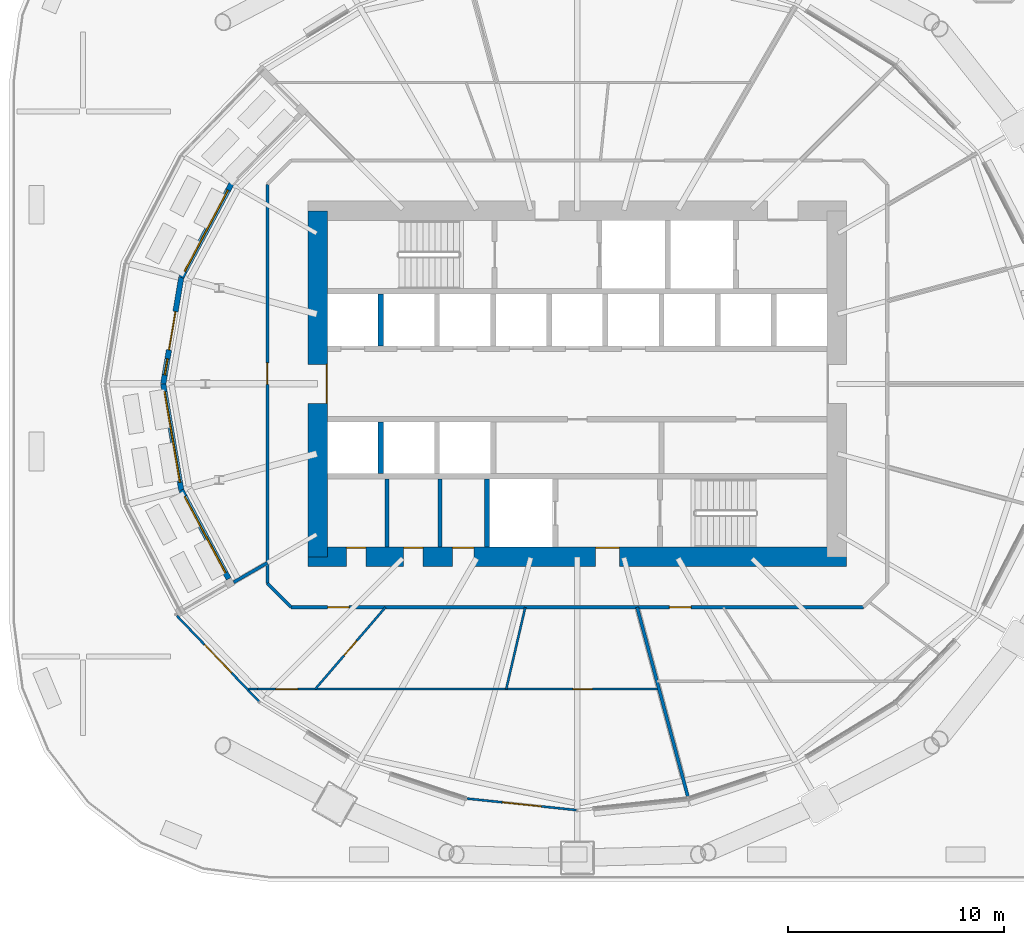
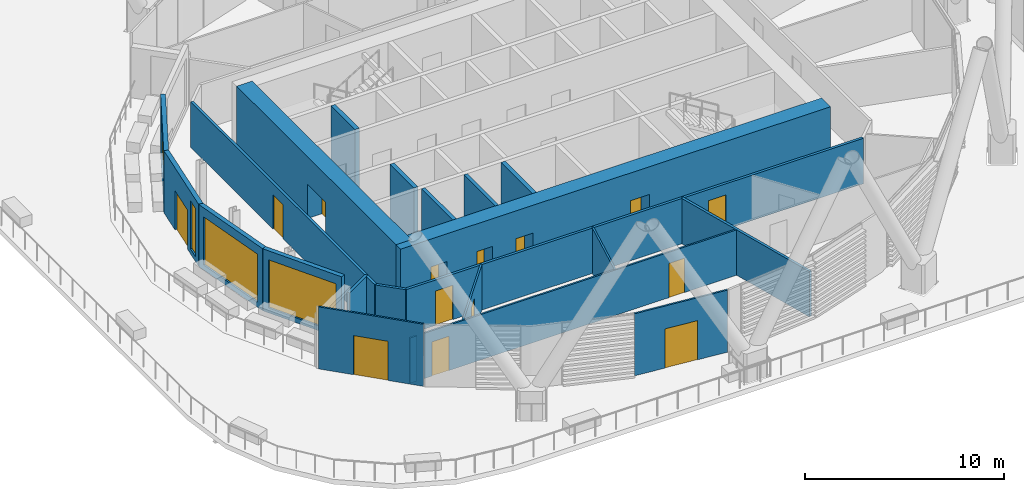
# One storey, part 24 of 47: 22 walls, 14 doors, 4 windows, 18 openings.
"""IFC4 building model written with IfcOpenShell, lengths in metres."""

from ifc_helpers import new_model, si_unit, direction, frame, frame_2d, origin, place, context, subcontext, project, spatial, rectangle, extrude, material, layer, layer_set, type_object, element, fill, save


model = new_model("IFC4")

# Units and contexts
model_context = context("Model", 3, precision=1e-05, world=origin(), true_north=direction((0.0, 1.0)))
body_context = subcontext(model_context, "Body", "Model", "MODEL_VIEW")
ifc_project = project(units=[si_unit("LENGTHUNIT", "METRE"), si_unit("AREAUNIT", "SQUARE_METRE"), si_unit("VOLUMEUNIT", "CUBIC_METRE"), si_unit("PLANEANGLEUNIT", "RADIAN"), si_unit("MASSUNIT", "GRAM", prefix="KILO")], contexts=[model_context])

# Site, building, storey
site_placement = place(None, origin())
site = spatial("IfcSite", under=ifc_project, at=site_placement, CompositionType="ELEMENT")
building_placement = place(site_placement, origin())
building = spatial("IfcBuilding", under=site, at=building_placement, Name="Rimbun Link Towers", CompositionType="ELEMENT")
storey_placement = place(building_placement, frame((0.0, 0.0, 30.0)))
storey = spatial("IfcBuildingStorey", under=building, at=storey_placement, Name="L06", CompositionType="ELEMENT", Elevation=30.0)

# Wall, opening, window
ifc_material_1 = material(Name="Dark enamelled glass spandrel on insulated aluminium backpan", Category="aluminium")
ifc_layer_1 = layer(ifc_material_1, 0.25)
ifc_layer_set_1 = layer_set([ifc_layer_1], Name="CS dark enamelled spandrel wall 250")
wall_type_1 = type_object("IfcWallType", Name="CS dark enamelled spandrel wall 250", PredefinedType="STANDARD", material=ifc_layer_set_1)
wall_1_placement = place(storey_placement, frame((-50.0556640625, 4.913818359375, 0.0), z_axis=(0.0, 0.0, 1.0), x_axis=(0.47156780377, 0.881829805828, 0.0)))
wall_1 = element("IfcWall", 1, at=wall_1_placement, inside=storey, type_object=wall_type_1, Name="Crease spandrel wall", PredefinedType="STANDARD", context=body_context, shape_type="SweptSolid", body=[
    extrude(rectangle(XDim=4.914306640625, YDim=0.25, at=frame_2d((2.45703125, 0.0))), origin(), (0.0, 0.0, 1.0), 3.800048828125),
])
opening_1_placement = place(wall_1_placement, frame((0.33203125, 0.0, 0.300048828125)))
opening_1 = element("IfcOpeningElement", 2, at=opening_1_placement, cuts=wall_1, Name="Opening WR42H295", PredefinedType="OPENING", context=body_context, shape_type="SweptSolid", body=[
    extrude(rectangle(XDim=4.25, YDim=2.949951171875, at=frame_2d((2.125, 1.47509765625))), frame((0.0, 0.135009765625, 0.0), z_axis=(0.0, -1.0, 0.0), x_axis=(1.0, 0.0, 0.0)), (0.0, 0.0, 1.0), 0.27001953125),
])
ifc_material_2 = material(Name="Aluminium framed fixed window, dark tinted low-e glass", Category="aluminium")
window_type_1 = type_object("IfcWindowType", Name="WR ribbon window 4250X2950", PartitioningType="SINGLE_PANEL", PredefinedType="WINDOW", material=ifc_material_2)
window_1_placement = place(opening_1_placement, origin())
window_1 = element("IfcWindow", 3, at=window_1_placement, inside=storey, type_object=window_type_1, Name="Crease ribbon window", OverallHeight=2.949951171875, OverallWidth=4.25, PartitioningType="SINGLE_PANEL", PredefinedType="WINDOW", context=body_context, shape_type="SweptSolid", body=[
    extrude(rectangle(XDim=4.25, YDim=2.949951171875, at=frame_2d((2.125, 1.47509765625))), frame((0.0, 0.030029296875, 0.0), z_axis=(0.0, -1.0, 0.0), x_axis=(1.0, 0.0, 0.0)), (0.0, 0.0, 1.0), 0.06005859375),
])
fill(opening_1, window_1)

# Wall, openings, door, window
wall_2_placement = place(storey_placement, frame((-50.889404296875, 0.0, 0.0), z_axis=(0.0, 0.0, 1.0), x_axis=(0.167281745304, 0.985909132572, 0.0)))
wall_2 = element("IfcWall", 4, at=wall_2_placement, inside=storey, type_object=wall_type_1, Name="Crease spandrel wall", PredefinedType="STANDARD", context=body_context, shape_type="SweptSolid", body=[
    extrude(rectangle(XDim=4.984130859375, YDim=0.25, at=frame_2d((2.4921875, 0.0))), origin(), (0.0, 0.0, 1.0), 3.800048828125),
])
opening_2_placement = place(wall_2_placement, frame((0.421142578125, 0.0, 0.300048828125)))
opening_2 = element("IfcOpeningElement", 5, at=opening_2_placement, cuts=wall_2, Name="Opening WR08H295", PredefinedType="OPENING", context=body_context, shape_type="SweptSolid", body=[
    extrude(rectangle(XDim=0.75, YDim=2.949951171875, at=frame_2d((0.375, 1.47509765625))), frame((0.0, 0.135009765625, 0.0), z_axis=(0.0, -1.0, 0.0), x_axis=(1.0, 0.0, 0.0)), (0.0, 0.0, 1.0), 0.27001953125),
])
opening_3_placement = place(wall_2_placement, frame((1.592529296875, 0.0, 0.0)))
opening_3 = element("IfcOpeningElement", 6, at=opening_3_placement, cuts=wall_2, Name="Opening ED49", PredefinedType="OPENING", context=body_context, shape_type="SweptSolid", body=[
    extrude(rectangle(XDim=1.800048828125, YDim=2.39990234375, at=frame_2d((0.89990234375, 1.199951171875))), frame((0.0, 0.135009765625, 0.0), z_axis=(0.0, -1.0, 0.0), x_axis=(1.0, 0.0, 0.0)), (0.0, 0.0, 1.0), 0.27001953125),
])
ifc_material_3 = material(Name="Aluminium framed glazed door, low-iron glass", Category="aluminium")
door_type_1 = type_object("IfcDoorType", Name="ED terrace door double leaf 1800X2400", OperationType="DOUBLE_DOOR_SINGLE_SWING", PredefinedType="DOOR", material=ifc_material_3)
door_1_placement = place(opening_3_placement, origin())
door_1 = element("IfcDoor", 7, at=door_1_placement, inside=storey, type_object=door_type_1, Name="Terrace door", OperationType="SINGLE_SWING_LEFT", OverallHeight=2.39990234375, OverallWidth=1.800048828125, PredefinedType="DOOR", context=body_context, shape_type="SweptSolid", body=[
    extrude(rectangle(XDim=1.800048828125, YDim=2.39990234375, at=frame_2d((0.89990234375, 1.199951171875))), frame((0.0, 0.02490234375, 0.0), z_axis=(0.0, -1.0, 0.0), x_axis=(1.0, 0.0, 0.0)), (0.0, 0.0, 1.0), 0.050048828125),
])
fill(opening_3, door_1)
ifc_material_4 = material(Name="Aluminium framed fixed window, dark tinted low-e glass", Category="aluminium")
window_type_2 = type_object("IfcWindowType", Name="WR ribbon window 750X2950", PartitioningType="SINGLE_PANEL", PredefinedType="WINDOW", material=ifc_material_4)
window_2_placement = place(opening_2_placement, origin())
window_2 = element("IfcWindow", 8, at=window_2_placement, inside=storey, type_object=window_type_2, Name="Crease ribbon window", OverallHeight=2.949951171875, OverallWidth=0.75, PartitioningType="SINGLE_PANEL", PredefinedType="WINDOW", context=body_context, shape_type="SweptSolid", body=[
    extrude(rectangle(XDim=0.75, YDim=2.949951171875, at=frame_2d((0.375, 1.47509765625))), frame((0.0, 0.030029296875, 0.0), z_axis=(0.0, -1.0, 0.0), x_axis=(1.0, 0.0, 0.0)), (0.0, 0.0, 1.0), 0.06005859375),
])
fill(opening_2, window_2)

# Wall, opening, window
wall_3_placement = place(storey_placement, frame((-50.0556640625, -4.913818359375, 0.0), z_axis=(0.0, 0.0, 1.0), x_axis=(-0.167281745304, 0.985909132572, 0.0)))
wall_3 = element("IfcWall", 9, at=wall_3_placement, inside=storey, type_object=wall_type_1, Name="Crease spandrel wall", PredefinedType="STANDARD", context=body_context, shape_type="SweptSolid", body=[
    extrude(rectangle(XDim=4.984130859375, YDim=0.25, at=frame_2d((2.4921875, 0.0))), origin(), (0.0, 0.0, 1.0), 3.800048828125),
])
opening_4_placement = place(wall_3_placement, frame((0.366943359375, 0.0, 0.300048828125)))
opening_4 = element("IfcOpeningElement", 10, at=opening_4_placement, cuts=wall_3, Name="Opening WR42H295", PredefinedType="OPENING", context=body_context, shape_type="SweptSolid", body=[
    extrude(rectangle(XDim=4.25, YDim=2.949951171875, at=frame_2d((2.125, 1.47509765625))), frame((0.0, 0.135009765625, 0.0), z_axis=(0.0, -1.0, 0.0), x_axis=(1.0, 0.0, 0.0)), (0.0, 0.0, 1.0), 0.27001953125),
])
window_3_placement = place(opening_4_placement, origin())
window_3 = element("IfcWindow", 11, at=window_3_placement, inside=storey, type_object=window_type_1, Name="Crease ribbon window", OverallHeight=2.949951171875, OverallWidth=4.25, PartitioningType="SINGLE_PANEL", PredefinedType="WINDOW", context=body_context, shape_type="SweptSolid", body=[
    extrude(rectangle(XDim=4.25, YDim=2.949951171875, at=frame_2d((2.125, 1.47509765625))), frame((0.0, 0.030029296875, 0.0), z_axis=(0.0, -1.0, 0.0), x_axis=(1.0, 0.0, 0.0)), (0.0, 0.0, 1.0), 0.06005859375),
])
fill(opening_4, window_3)

wall_4_placement = place(storey_placement, frame((-47.863037109375, -9.01416015625, 0.0), z_axis=(0.0, 0.0, 1.0), x_axis=(-0.471555405257, 0.881836435952, 0.0)))
wall_4 = element("IfcWall", 12, at=wall_4_placement, inside=storey, type_object=wall_type_1, Name="Crease spandrel wall", PredefinedType="STANDARD", context=body_context, shape_type="SweptSolid", body=[
    extrude(rectangle(XDim=4.649658203125, YDim=0.25, at=frame_2d((2.32470703125, 0.0))), origin(), (0.0, 0.0, 1.0), 3.800048828125),
])
opening_5_placement = place(wall_4_placement, frame((0.324951171875, 0.0, 0.300048828125)))
opening_5 = element("IfcOpeningElement", 13, at=opening_5_placement, cuts=wall_4, Name="Opening WR40H295", PredefinedType="OPENING", context=body_context, shape_type="SweptSolid", body=[
    extrude(rectangle(XDim=4.0, YDim=2.949951171875, at=frame_2d((2.0, 1.47509765625))), frame((0.0, 0.135009765625, 0.0), z_axis=(0.0, -1.0, 0.0), x_axis=(1.0, 0.0, 0.0)), (0.0, 0.0, 1.0), 0.27001953125),
])
ifc_material_5 = material(Name="Aluminium framed fixed window, dark tinted low-e glass", Category="aluminium")
window_type_3 = type_object("IfcWindowType", Name="WR ribbon window 4000X2950", PartitioningType="SINGLE_PANEL", PredefinedType="WINDOW", material=ifc_material_5)
window_4_placement = place(opening_5_placement, origin())
window_4 = element("IfcWindow", 14, at=window_4_placement, inside=storey, type_object=window_type_3, Name="Crease ribbon window", OverallHeight=2.949951171875, OverallWidth=4.0, PartitioningType="SINGLE_PANEL", PredefinedType="WINDOW", context=body_context, shape_type="SweptSolid", body=[
    extrude(rectangle(XDim=4.0, YDim=2.949951171875, at=frame_2d((2.0, 1.47509765625))), frame((0.0, 0.030029296875, 0.0), z_axis=(0.0, -1.0, 0.0), x_axis=(1.0, 0.0, 0.0)), (0.0, 0.0, 1.0), 0.06005859375),
])
fill(opening_5, window_4)

# Walls
ifc_material_6 = material(Name="Masonry blockwork", Category="masonry")
ifc_layer_2 = layer(ifc_material_6, 0.199951171875)
ifc_layer_set_2 = layer_set([ifc_layer_2], Name="Core partition 200")
wall_type_2 = type_object("IfcWallType", Name="Core partition 200", PredefinedType="PARTITIONING", material=ifc_layer_set_2)
for number, where, z_axis, x_axis, name in (
    (15, (-40.550048828125, -4.39990234375, 0.0), (0.0, 0.0, 1.0), (0.0, -1.0, 0.0), "L06 T1 core wall C1"),
    (16, (-38.10009765625, -4.39990234375, 0.0), (0.0, 0.0, 1.0), (0.0, -1.0, 0.0), "L06 T1 core wall C2"),
):
    element("IfcWall", number, at=place(storey_placement, frame(where, z_axis=z_axis, x_axis=x_axis)), inside=storey, type_object=wall_type_2, Name=name, PredefinedType="PARTITIONING", context=body_context, shape_type="SweptSolid", body=[
        extrude(rectangle(XDim=3.150146484375, YDim=0.199951171875, at=frame_2d((1.5751953125, 0.0))), origin(), (0.0, 0.0, 1.0), 3.800048828125),
    ])

# Wall, openings, doors
ifc_material_7 = material(Name="Concrete C60/75", Category="concrete")
ifc_layer_3 = layer(ifc_material_7, 0.89990234375)
ifc_layer_set_3 = layer_set([ifc_layer_3], Name="Core shear wall 900")
wall_type_3 = type_object("IfcWallType", Name="Core shear wall 900", PredefinedType="SHEAR", material=ifc_layer_set_3)
wall_5_placement = place(storey_placement, frame((-44.199951171875, -8.0, 0.0), z_axis=(0.0, 0.0, 1.0), x_axis=(1.0, 0.0, 0.0)))
wall_5 = element("IfcWall", 17, at=wall_5_placement, inside=storey, type_object=wall_type_3, Name="L06 T1 core wall S", PredefinedType="SHEAR", context=body_context, shape_type="SweptSolid", body=[
    extrude(rectangle(XDim=24.89990234375, YDim=0.89990234375, at=frame_2d((12.449951171875, 0.0))), origin(), (0.0, 0.0, 1.0), 3.800048828125),
])
opening_6_placement = place(wall_5_placement, frame((13.300048828125, 0.0, 0.0)))
opening_6 = element("IfcOpeningElement", 18, at=opening_6_placement, cuts=wall_5, Name="Opening C1DCF01S", PredefinedType="OPENING", context=body_context, shape_type="SweptSolid", body=[
    extrude(rectangle(XDim=1.10009765625, YDim=2.10009765625, at=frame_2d((0.550048828125, 1.050048828125))), frame((0.0, 0.4599609375, 0.0), z_axis=(0.0, -1.0, 0.0), x_axis=(1.0, 0.0, 0.0)), (0.0, 0.0, 1.0), 0.919921875),
])
opening_7_placement = place(wall_5_placement, frame((1.77490234375, 0.0, 0.0)))
opening_7 = element("IfcOpeningElement", 19, at=opening_7_placement, cuts=wall_5, Name="Opening C1DWC02S", PredefinedType="OPENING", context=body_context, shape_type="SweptSolid", body=[
    extrude(rectangle(XDim=0.89990234375, YDim=2.10009765625, at=frame_2d((0.449951171875, 1.050048828125))), frame((0.0, 0.4599609375, 0.0), z_axis=(0.0, -1.0, 0.0), x_axis=(1.0, 0.0, 0.0)), (0.0, 0.0, 1.0), 0.919921875),
])
opening_8_placement = place(wall_5_placement, frame((4.425048828125, 0.0, 0.0)))
opening_8 = element("IfcOpeningElement", 20, at=opening_8_placement, cuts=wall_5, Name="Opening C1DWC03S", PredefinedType="OPENING", context=body_context, shape_type="SweptSolid", body=[
    extrude(rectangle(XDim=0.89990234375, YDim=2.10009765625, at=frame_2d((0.449951171875, 1.050048828125))), frame((0.0, 0.4599609375, 0.0), z_axis=(0.0, -1.0, 0.0), x_axis=(1.0, 0.0, 0.0)), (0.0, 0.0, 1.0), 0.919921875),
])
opening_9_placement = place(wall_5_placement, frame((6.675048828125, 0.0, 0.0)))
opening_9 = element("IfcOpeningElement", 21, at=opening_9_placement, cuts=wall_5, Name="Opening C1DAW04S", PredefinedType="OPENING", context=body_context, shape_type="SweptSolid", body=[
    extrude(rectangle(XDim=1.0, YDim=2.10009765625, at=frame_2d((0.5, 1.050048828125))), frame((0.0, 0.4599609375, 0.0), z_axis=(0.0, -1.0, 0.0), x_axis=(1.0, 0.0, 0.0)), (0.0, 0.0, 1.0), 0.919921875),
])
ifc_material_8 = material(Name="Timber", Category="wood")
door_type_2 = type_object("IfcDoorType", Name="Accessible WC door", OperationType="SINGLE_SWING_LEFT", PredefinedType="DOOR", material=ifc_material_8)
door_2_placement = place(opening_9_placement, origin())
door_2 = element("IfcDoor", 22, at=door_2_placement, inside=storey, type_object=door_type_2, Name="L06 T1 accessible wc door", OperationType="SINGLE_SWING_RIGHT", OverallHeight=2.10009765625, OverallWidth=1.0, PredefinedType="DOOR", context=body_context, shape_type="SweptSolid", body=[
    extrude(rectangle(XDim=1.0, YDim=2.10009765625, at=frame_2d((0.5, 1.050048828125))), frame((0.0, 0.4501953125, 0.0), z_axis=(0.0, -1.0, 0.0), x_axis=(1.0, 0.0, 0.0)), (0.0, 0.0, 1.0), 0.050048828125),
])
fill(opening_9, door_2)
ifc_material_9 = material(Name="Steel fire door set", Category="steel")
door_type_3 = type_object("IfcDoorType", Name="Core fire door single", OperationType="SINGLE_SWING_LEFT", PredefinedType="DOOR", material=ifc_material_9)
door_3_placement = place(opening_6_placement, origin())
door_3 = element("IfcDoor", 23, at=door_3_placement, inside=storey, type_object=door_type_3, Name="L06 T1 firefighting lobby s door", OperationType="SINGLE_SWING_LEFT", OverallHeight=2.10009765625, OverallWidth=1.10009765625, PredefinedType="DOOR", context=body_context, shape_type="SweptSolid", body=[
    extrude(rectangle(XDim=1.10009765625, YDim=2.10009765625, at=frame_2d((0.550048828125, 1.050048828125))), frame((0.0, 0.4501953125, 0.0), z_axis=(0.0, -1.0, 0.0), x_axis=(1.0, 0.0, 0.0)), (0.0, 0.0, 1.0), 0.050048828125),
])
fill(opening_6, door_3)
ifc_material_10 = material(Name="Timber", Category="wood")
door_type_4 = type_object("IfcDoorType", Name="WC door", OperationType="SINGLE_SWING_LEFT", PredefinedType="DOOR", material=ifc_material_10)
door_4_placement = place(opening_7_placement, origin())
door_4 = element("IfcDoor", 24, at=door_4_placement, inside=storey, type_object=door_type_4, Name="L06 T1 male wc door", OperationType="SINGLE_SWING_RIGHT", OverallHeight=2.10009765625, OverallWidth=0.89990234375, PredefinedType="DOOR", context=body_context, shape_type="SweptSolid", body=[
    extrude(rectangle(XDim=0.89990234375, YDim=2.10009765625, at=frame_2d((0.449951171875, 1.050048828125))), frame((0.0, 0.4501953125, 0.0), z_axis=(0.0, -1.0, 0.0), x_axis=(1.0, 0.0, 0.0)), (0.0, 0.0, 1.0), 0.050048828125),
])
fill(opening_7, door_4)
door_5_placement = place(opening_8_placement, origin())
door_5 = element("IfcDoor", 25, at=door_5_placement, inside=storey, type_object=door_type_4, Name="L06 T1 female wc door", OperationType="SINGLE_SWING_RIGHT", OverallHeight=2.10009765625, OverallWidth=0.89990234375, PredefinedType="DOOR", context=body_context, shape_type="SweptSolid", body=[
    extrude(rectangle(XDim=0.89990234375, YDim=2.10009765625, at=frame_2d((0.449951171875, 1.050048828125))), frame((0.0, 0.4501953125, 0.0), z_axis=(0.0, -1.0, 0.0), x_axis=(1.0, 0.0, 0.0)), (0.0, 0.0, 1.0), 0.050048828125),
])
fill(opening_8, door_5)

# Wall, opening, door
wall_6_placement = place(storey_placement, frame((-43.75, -8.0, 0.0), z_axis=(0.0, 0.0, 1.0), x_axis=(0.0, 1.0, 0.0)))
wall_6 = element("IfcWall", 26, at=wall_6_placement, inside=storey, type_object=wall_type_3, Name="L06 T1 core wall W", PredefinedType="SHEAR", context=body_context, shape_type="SweptSolid", body=[
    extrude(rectangle(XDim=16.0, YDim=0.89990234375, at=frame_2d((8.0, 0.0))), origin(), (0.0, 0.0, 1.0), 3.800048828125),
])
opening_10_placement = place(wall_6_placement, frame((7.10009765625, 0.0, 0.0)))
opening_10 = element("IfcOpeningElement", 27, at=opening_10_placement, cuts=wall_6, Name="Opening C1DCL01W", PredefinedType="OPENING", context=body_context, shape_type="SweptSolid", body=[
    extrude(rectangle(XDim=1.800048828125, YDim=2.10009765625, at=frame_2d((0.89990234375, 1.050048828125))), frame((0.0, 0.4599609375, 0.0), z_axis=(0.0, -1.0, 0.0), x_axis=(1.0, 0.0, 0.0)), (0.0, 0.0, 1.0), 0.919921875),
])
ifc_material_11 = material(Name="Steel fire door set", Category="steel")
door_type_5 = type_object("IfcDoorType", Name="Core lobby door double", OperationType="DOUBLE_DOOR_SINGLE_SWING", PredefinedType="DOOR", material=ifc_material_11)
door_6_placement = place(opening_10_placement, origin())
door_6 = element("IfcDoor", 28, at=door_6_placement, inside=storey, type_object=door_type_5, Name="L06 T1 lift lobby door", OperationType="DOUBLE_DOOR_SINGLE_SWING", OverallHeight=2.10009765625, OverallWidth=1.800048828125, PredefinedType="DOOR", context=body_context, shape_type="SweptSolid", body=[
    extrude(rectangle(XDim=1.800048828125, YDim=2.10009765625, at=frame_2d((0.89990234375, 1.050048828125))), frame((0.0, -0.39990234375, 0.0), z_axis=(0.0, -1.0, 0.0), x_axis=(1.0, 0.0, 0.0)), (0.0, 0.0, 1.0), 0.050048828125),
])
fill(opening_10, door_6)

# Wall, openings, doors
ifc_material_12 = material(Name="Plasterboard on steel stud, mineral wool", Category="steel")
ifc_layer_4 = layer(ifc_material_12, 0.14990234375)
ifc_layer_set_4 = layer_set([ifc_layer_4], Name="Corridor wall EI 30 150 mm")
wall_type_4 = type_object("IfcWallType", Name="Corridor wall EI 30 150 mm", PredefinedType="PARTITIONING", material=ifc_layer_set_4)
wall_7_placement = place(storey_placement, frame((-18.523193359375, -10.324951171875, 0.0), z_axis=(0.0, 0.0, 1.0), x_axis=(-1.0, 0.0, 0.0)))
wall_7 = element("IfcWall", 29, at=wall_7_placement, inside=storey, type_object=wall_type_4, Name="Corridor wall EI 30 150 mm", PredefinedType="PARTITIONING", context=body_context, shape_type="SweptSolid", body=[
    extrude(rectangle(XDim=26.45361328125, YDim=0.14990234375, at=frame_2d((13.226806640625, 0.0))), origin(), (0.0, 0.0, 1.0), 2.779052734375),
])
opening_11_placement = place(wall_7_placement, frame((23.77294921875, 0.0, 0.0)))
opening_11 = element("IfcOpeningElement", 30, at=opening_11_placement, cuts=wall_7, Name="Opening D01", PredefinedType="OPENING", context=body_context, shape_type="SweptSolid", body=[
    extrude(rectangle(XDim=1.0, YDim=2.10009765625, at=frame_2d((0.5, 1.050048828125))), frame((0.0, 0.0849609375, 0.0), z_axis=(0.0, -1.0, 0.0), x_axis=(1.0, 0.0, 0.0)), (0.0, 0.0, 1.0), 0.169921875),
])
opening_12_placement = place(wall_7_placement, frame((7.9697265625, 0.0, 0.0)))
opening_12 = element("IfcOpeningElement", 31, at=opening_12_placement, cuts=wall_7, Name="Opening D01", PredefinedType="OPENING", context=body_context, shape_type="SweptSolid", body=[
    extrude(rectangle(XDim=1.0, YDim=2.10009765625, at=frame_2d((0.5, 1.050048828125))), frame((0.0, 0.0849609375, 0.0), z_axis=(0.0, -1.0, 0.0), x_axis=(1.0, 0.0, 0.0)), (0.0, 0.0, 1.0), 0.169921875),
])
ifc_material_13 = material(Name="Fire-resisting timber door leaf", Category="wood")
door_type_6 = type_object("IfcDoorType", Name="Fire door FD30S 1000", OperationType="NOTDEFINED", PredefinedType="DOOR", material=ifc_material_13)
door_7_placement = place(opening_11_placement, origin())
door_7 = element("IfcDoor", 32, at=door_7_placement, inside=storey, type_object=door_type_6, Name="Fire door FD30S 1000 to Customer lobby", OperationType="SINGLE_SWING_LEFT", OverallHeight=2.10009765625, OverallWidth=1.0, PredefinedType="DOOR", context=body_context, shape_type="SweptSolid", body=[
    extrude(rectangle(XDim=1.0, YDim=2.10009765625, at=frame_2d((0.5, 1.050048828125))), frame((0.0, 0.02490234375, 0.0), z_axis=(0.0, -1.0, 0.0), x_axis=(1.0, 0.0, 0.0)), (0.0, 0.0, 1.0), 0.050048828125),
])
fill(opening_11, door_7)
door_8_placement = place(opening_12_placement, origin())
door_8 = element("IfcDoor", 33, at=door_8_placement, inside=storey, type_object=door_type_6, Name="Fire door FD30S 1000 to Reception", OperationType="SINGLE_SWING_RIGHT", OverallHeight=2.10009765625, OverallWidth=1.0, PredefinedType="DOOR", context=body_context, shape_type="SweptSolid", body=[
    extrude(rectangle(XDim=1.0, YDim=2.10009765625, at=frame_2d((0.5, 1.050048828125))), frame((0.0, 0.02490234375, 0.0), z_axis=(0.0, -1.0, 0.0), x_axis=(1.0, 0.0, 0.0)), (0.0, 0.0, 1.0), 0.050048828125),
])
fill(opening_12, door_8)

# Wall
wall_8_placement = place(storey_placement, frame((-46.074951171875, -9.226806640625, 0.0), z_axis=(0.0, 0.0, 1.0), x_axis=(0.707106781187, -0.707106781187, 0.0)))
element("IfcWall", 34, at=wall_8_placement, inside=storey, type_object=wall_type_4, Name="Corridor wall EI 30 150 mm", PredefinedType="PARTITIONING", context=body_context, shape_type="SweptSolid", body=[
    extrude(rectangle(XDim=1.552978515625, YDim=0.14990234375, at=frame_2d((0.7763671875, 0.0))), origin(), (0.0, 0.0, 1.0), 2.779052734375),
])

# Wall, opening, door
wall_9_placement = place(storey_placement, frame((-46.074951171875, -9.226806640625, 0.0), z_axis=(0.0, 0.0, 1.0), x_axis=(0.0, 1.0, 0.0)))
wall_9 = element("IfcWall", 35, at=wall_9_placement, inside=storey, type_object=wall_type_4, Name="Corridor wall EI 30 150 mm", PredefinedType="PARTITIONING", context=body_context, shape_type="SweptSolid", body=[
    extrude(rectangle(XDim=18.45361328125, YDim=0.14990234375, at=frame_2d((9.226806640625, 0.0))), origin(), (0.0, 0.0, 1.0), 2.779052734375),
])
opening_13_placement = place(wall_9_placement, frame((9.204833984375, 0.0, 0.0)))
opening_13 = element("IfcOpeningElement", 36, at=opening_13_placement, cuts=wall_9, Name="Opening D01", PredefinedType="OPENING", context=body_context, shape_type="SweptSolid", body=[
    extrude(rectangle(XDim=1.0, YDim=2.10009765625, at=frame_2d((0.5, 1.050048828125))), frame((0.0, 0.0849609375, 0.0), z_axis=(0.0, -1.0, 0.0), x_axis=(1.0, 0.0, 0.0)), (0.0, 0.0, 1.0), 0.169921875),
])
door_9_placement = place(opening_13_placement, origin())
door_9 = element("IfcDoor", 37, at=door_9_placement, inside=storey, type_object=door_type_6, Name="Fire door FD30S 1000 to Terrace office", OperationType="SINGLE_SWING_LEFT", OverallHeight=2.10009765625, OverallWidth=1.0, PredefinedType="DOOR", context=body_context, shape_type="SweptSolid", body=[
    extrude(rectangle(XDim=1.0, YDim=2.10009765625, at=frame_2d((0.5, 1.050048828125))), frame((0.0, 0.02490234375, 0.0), z_axis=(0.0, -1.0, 0.0), x_axis=(1.0, 0.0, 0.0)), (0.0, 0.0, 1.0), 0.050048828125),
])
fill(opening_13, door_9)

ifc_material_14 = material(Name="Aluminium framed insulated infill panel", Category="aluminium")
ifc_layer_5 = layer(ifc_material_14, 0.10009765625)
ifc_layer_set_5 = layer_set([ifc_layer_5], Name="ED framed infill wall 100")
wall_type_5 = type_object("IfcWallType", Name="ED framed infill wall 100", PredefinedType="STANDARD", material=ifc_layer_set_5)
wall_10_placement = place(storey_placement, frame((-46.460693359375, -14.680908203125, 0.0), z_axis=(0.0, 0.0, 1.0), x_axis=(-0.692062908855, 0.721837190914, 0.0)))
wall_10 = element("IfcWall", 38, at=wall_10_placement, inside=storey, type_object=wall_type_5, Name="Framed door bay wall", PredefinedType="STANDARD", context=body_context, shape_type="SweptSolid", body=[
    extrude(rectangle(XDim=5.485595703125, YDim=0.10009765625, at=frame_2d((2.74267578125, 0.0))), origin(), (0.0, 0.0, 1.0), 3.800048828125),
])
opening_14_placement = place(wall_10_placement, frame((1.8427734375, 0.0, 0.0)))
opening_14 = element("IfcOpeningElement", 39, at=opening_14_placement, cuts=wall_10, Name="Opening ED47", PredefinedType="OPENING", context=body_context, shape_type="SweptSolid", body=[
    extrude(rectangle(XDim=1.800048828125, YDim=2.39990234375, at=frame_2d((0.89990234375, 1.199951171875))), frame((0.0, 0.06005859375, 0.0), z_axis=(0.0, -1.0, 0.0), x_axis=(1.0, 0.0, 0.0)), (0.0, 0.0, 1.0), 0.1201171875),
])
door_10_placement = place(opening_14_placement, origin())
door_10 = element("IfcDoor", 40, at=door_10_placement, inside=storey, type_object=door_type_1, Name="Terrace door", OperationType="SINGLE_SWING_LEFT", OverallHeight=2.39990234375, OverallWidth=1.800048828125, PredefinedType="DOOR", context=body_context, shape_type="SweptSolid", body=[
    extrude(rectangle(XDim=1.800048828125, YDim=2.39990234375, at=frame_2d((0.89990234375, 1.199951171875))), frame((0.0, 0.02490234375, 0.0), z_axis=(0.0, -1.0, 0.0), x_axis=(1.0, 0.0, 0.0)), (0.0, 0.0, 1.0), 0.050048828125),
])
fill(opening_14, door_10)

wall_11_placement = place(storey_placement, frame((-31.775146484375, -19.701904296875, 0.0), z_axis=(0.0, 0.0, 1.0), x_axis=(-0.994496286674, 0.104771827281, 0.0)))
wall_11 = element("IfcWall", 41, at=wall_11_placement, inside=storey, type_object=wall_type_5, Name="Framed door bay wall", PredefinedType="STANDARD", context=body_context, shape_type="SweptSolid", body=[
    extrude(rectangle(XDim=5.110107421875, YDim=0.10009765625, at=frame_2d((2.55517578125, 0.0))), origin(), (0.0, 0.0, 1.0), 3.800048828125),
])
opening_15_placement = place(wall_11_placement, frame((1.655029296875, 0.0, 0.0)))
opening_15 = element("IfcOpeningElement", 42, at=opening_15_placement, cuts=wall_11, Name="Opening ED48", PredefinedType="OPENING", context=body_context, shape_type="SweptSolid", body=[
    extrude(rectangle(XDim=1.800048828125, YDim=2.39990234375, at=frame_2d((0.89990234375, 1.199951171875))), frame((0.0, 0.06005859375, 0.0), z_axis=(0.0, -1.0, 0.0), x_axis=(1.0, 0.0, 0.0)), (0.0, 0.0, 1.0), 0.1201171875),
])
door_11_placement = place(opening_15_placement, origin())
door_11 = element("IfcDoor", 43, at=door_11_placement, inside=storey, type_object=door_type_1, Name="Terrace door", OperationType="SINGLE_SWING_LEFT", OverallHeight=2.39990234375, OverallWidth=1.800048828125, PredefinedType="DOOR", context=body_context, shape_type="SweptSolid", body=[
    extrude(rectangle(XDim=1.800048828125, YDim=2.39990234375, at=frame_2d((0.89990234375, 1.199951171875))), frame((0.0, 0.02490234375, 0.0), z_axis=(0.0, -1.0, 0.0), x_axis=(1.0, 0.0, 0.0)), (0.0, 0.0, 1.0), 0.050048828125),
])
fill(opening_15, door_11)

ifc_material_15 = material(Name="Plasterboard on steel stud", Category="steel")
ifc_layer_6 = layer(ifc_material_15, 0.10009765625)
ifc_layer_set_6 = layer_set([ifc_layer_6], Name="Plasterboard partition 100 mm")
wall_type_6 = type_object("IfcWallType", Name="Plasterboard partition 100 mm", PredefinedType="PARTITIONING", material=ifc_layer_set_6)
wall_12_placement = place(storey_placement, frame((-40.615966796875, -10.324951171875, 0.0), z_axis=(0.0, 0.0, 1.0), x_axis=(-0.651465021592, -0.758678670876, 0.0)))
wall_12 = element("IfcWall", 44, at=wall_12_placement, inside=storey, type_object=wall_type_6, Name="Plasterboard partition 100 mm", PredefinedType="PARTITIONING", context=body_context, shape_type="SweptSolid", body=[
    extrude(rectangle(XDim=4.982421875, YDim=0.10009765625, at=frame_2d((2.4912109375, 0.0))), origin(), (0.0, 0.0, 1.0), 2.779052734375),
])
opening_16_placement = place(wall_12_placement, frame((2.041015625, 0.0, 0.0)))
opening_16 = element("IfcOpeningElement", 45, at=opening_16_placement, cuts=wall_12, Name="Opening D04", PredefinedType="OPENING", context=body_context, shape_type="SweptSolid", body=[
    extrude(rectangle(XDim=0.89990234375, YDim=2.10009765625, at=frame_2d((0.449951171875, 1.050048828125))), frame((0.0, 0.06005859375, 0.0), z_axis=(0.0, -1.0, 0.0), x_axis=(1.0, 0.0, 0.0)), (0.0, 0.0, 1.0), 0.1201171875),
])
ifc_material_16 = material(Name="Timber door leaf", Category="wood")
door_type_7 = type_object("IfcDoorType", Name="Flush door 900", OperationType="NOTDEFINED", PredefinedType="DOOR", material=ifc_material_16)
door_12_placement = place(opening_16_placement, origin())
door_12 = element("IfcDoor", 46, at=door_12_placement, inside=storey, type_object=door_type_7, Name="Flush door 900 to Interview room", OperationType="SINGLE_SWING_RIGHT", OverallHeight=2.10009765625, OverallWidth=0.89990234375, PredefinedType="DOOR", context=body_context, shape_type="SweptSolid", body=[
    extrude(rectangle(XDim=0.89990234375, YDim=2.10009765625, at=frame_2d((0.449951171875, 1.050048828125))), frame((0.0, 0.02490234375, 0.0), z_axis=(0.0, -1.0, 0.0), x_axis=(1.0, 0.0, 0.0)), (0.0, 0.0, 1.0), 0.050048828125),
])
fill(opening_16, door_12)

# Wall, openings, doors
wall_13_placement = place(storey_placement, frame((-27.970703125, -14.10498046875, 0.0), z_axis=(0.0, 0.0, 1.0), x_axis=(-1.0, 0.0, 0.0)))
wall_13 = element("IfcWall", 47, at=wall_13_placement, inside=storey, type_object=wall_type_6, Name="Plasterboard partition 100 mm", PredefinedType="PARTITIONING", context=body_context, shape_type="SweptSolid", body=[
    extrude(rectangle(XDim=18.57177734375, YDim=0.10009765625, at=frame_2d((9.285888671875, 0.0))), origin(), (0.0, 0.0, 1.0), 2.779052734375),
])
opening_17_placement = place(wall_13_placement, frame((16.711669921875, 0.0, 0.0)))
opening_17 = element("IfcOpeningElement", 48, at=opening_17_placement, cuts=wall_13, Name="Opening D03", PredefinedType="OPENING", context=body_context, shape_type="SweptSolid", body=[
    extrude(rectangle(XDim=1.0, YDim=2.10009765625, at=frame_2d((0.5, 1.050048828125))), frame((0.0, 0.06005859375, 0.0), z_axis=(0.0, -1.0, 0.0), x_axis=(1.0, 0.0, 0.0)), (0.0, 0.0, 1.0), 0.1201171875),
])
opening_18_placement = place(wall_13_placement, frame((3.082275390625, 0.0, 0.0)))
opening_18 = element("IfcOpeningElement", 49, at=opening_18_placement, cuts=wall_13, Name="Opening D04", PredefinedType="OPENING", context=body_context, shape_type="SweptSolid", body=[
    extrude(rectangle(XDim=0.89990234375, YDim=2.10009765625, at=frame_2d((0.449951171875, 1.050048828125))), frame((0.0, 0.06005859375, 0.0), z_axis=(0.0, -1.0, 0.0), x_axis=(1.0, 0.0, 0.0)), (0.0, 0.0, 1.0), 0.1201171875),
])
ifc_material_17 = material(Name="Timber door leaf", Category="wood")
door_type_8 = type_object("IfcDoorType", Name="Flush door 1000", OperationType="NOTDEFINED", PredefinedType="DOOR", material=ifc_material_17)
door_13_placement = place(opening_17_placement, origin())
door_13 = element("IfcDoor", 50, at=door_13_placement, inside=storey, type_object=door_type_8, Name="Flush door 1000 to Banking hall", OperationType="SINGLE_SWING_LEFT", OverallHeight=2.10009765625, OverallWidth=1.0, PredefinedType="DOOR", context=body_context, shape_type="SweptSolid", body=[
    extrude(rectangle(XDim=1.0, YDim=2.10009765625, at=frame_2d((0.5, 1.050048828125))), frame((0.0, 0.02490234375, 0.0), z_axis=(0.0, -1.0, 0.0), x_axis=(1.0, 0.0, 0.0)), (0.0, 0.0, 1.0), 0.050048828125),
])
fill(opening_17, door_13)
door_14_placement = place(opening_18_placement, origin())
door_14 = element("IfcDoor", 51, at=door_14_placement, inside=storey, type_object=door_type_7, Name="Flush door 900 to Strong room", OperationType="SINGLE_SWING_LEFT", OverallHeight=2.10009765625, OverallWidth=0.89990234375, PredefinedType="DOOR", context=body_context, shape_type="SweptSolid", body=[
    extrude(rectangle(XDim=0.89990234375, YDim=2.10009765625, at=frame_2d((0.449951171875, 1.050048828125))), frame((0.0, 0.02490234375, 0.0), z_axis=(0.0, -1.0, 0.0), x_axis=(1.0, 0.0, 0.0)), (0.0, 0.0, 1.0), 0.050048828125),
])
fill(opening_18, door_14)

# Walls
wall_14_placement = place(storey_placement, frame((-46.943603515625, -14.10498046875, 0.0), z_axis=(0.0, 0.0, 1.0), x_axis=(1.0, 0.0, 0.0)))
element("IfcWall", 52, at=wall_14_placement, inside=storey, type_object=wall_type_6, Name="Plasterboard partition 100 mm", PredefinedType="PARTITIONING", context=body_context, shape_type="SweptSolid", body=[
    extrude(rectangle(XDim=0.401123046875, YDim=0.10009765625, at=frame_2d((0.20068359375, 0.0))), origin(), (0.0, 0.0, 1.0), 2.779052734375),
])
wall_15_placement = place(storey_placement, frame((-35.034912109375, -14.10498046875, 0.0), z_axis=(0.0, 0.0, 1.0), x_axis=(0.226829904255, 0.973934389236, 0.0)))
element("IfcWall", 53, at=wall_15_placement, inside=storey, type_object=wall_type_6, Name="Plasterboard partition 100 mm", PredefinedType="PARTITIONING", context=body_context, shape_type="SweptSolid", body=[
    extrude(rectangle(XDim=3.881103515625, YDim=0.10009765625, at=frame_2d((1.9404296875, 0.0))), origin(), (0.0, 0.0, 1.0), 2.779052734375),
])
ifc_material_18 = material(Name="Concrete C60/75", Category="concrete")
ifc_layer_7 = layer(ifc_material_18, 0.25)
ifc_layer_set_7 = layer_set([ifc_layer_7], Name="Shaft wall 250")
wall_type_7 = type_object("IfcWallType", Name="Shaft wall 250", PredefinedType="SHEAR", material=ifc_layer_set_7)
for number, where, z_axis, x_axis, name in (
    (54, (-40.83056640625, 1.75, 0.0), (0.0, 0.0, 1.0), (0.0, 1.0, 0.0), "L06 T1 core wall DN0"),
    (55, (-40.83056640625, -4.14990234375, 0.0), (0.0, 0.0, 1.0), (0.0, 1.0, 0.0), "L06 T1 core wall DS0"),
):
    element("IfcWall", number, at=place(storey_placement, frame(where, z_axis=z_axis, x_axis=x_axis)), inside=storey, type_object=wall_type_7, Name=name, PredefinedType="SHEAR", context=body_context, shape_type="SweptSolid", body=[
        extrude(rectangle(XDim=2.39990234375, YDim=0.25, at=frame_2d((1.199951171875, 0.0))), origin(), (0.0, 0.0, 1.0), 3.800048828125),
    ])
wall_16_placement = place(storey_placement, frame((-35.925048828125, -4.39990234375, 0.0), z_axis=(0.0, 0.0, 1.0), x_axis=(0.0, -1.0, 0.0)))
element("IfcWall", 56, at=wall_16_placement, inside=storey, type_object=wall_type_7, Name="L06 T1 core wall B3", PredefinedType="SHEAR", context=body_context, shape_type="SweptSolid", body=[
    extrude(rectangle(XDim=3.150146484375, YDim=0.25, at=frame_2d((1.5751953125, 0.0))), origin(), (0.0, 0.0, 1.0), 3.800048828125),
])
ifc_material_19 = material(Name="Plasterboard on steel stud, mineral wool", Category="steel")
ifc_layer_8 = layer(ifc_material_19, 0.14990234375)
ifc_layer_set_8 = layer_set([ifc_layer_8], Name="Tenancy separation wall EI 60 150 mm")
wall_type_8 = type_object("IfcWallType", Name="Tenancy separation wall EI 60 150 mm", PredefinedType="PARTITIONING", material=ifc_layer_set_8)
wall_17_placement = place(storey_placement, frame((-46.074951171875, -8.2705078125, 0.0), z_axis=(0.0, 0.0, 1.0), x_axis=(-0.866043556948, -0.499968556481, 0.0)))
element("IfcWall", 57, at=wall_17_placement, inside=storey, type_object=wall_type_8, Name="Tenancy separation wall EI 60 150 mm", PredefinedType="PARTITIONING", context=body_context, shape_type="SweptSolid", body=[
    extrude(rectangle(XDim=1.80322265625, YDim=0.14990234375, at=frame_2d((0.901611328125, 0.0))), origin(), (0.0, 0.0, 1.0), 2.779052734375),
])
wall_18_placement = place(storey_placement, frame((-28.9833984375, -10.324951171875, 0.0), z_axis=(0.0, 0.0, 1.0), x_axis=(0.258819676528, -0.965925657099, 0.0)))
element("IfcWall", 58, at=wall_18_placement, inside=storey, type_object=wall_type_8, Name="Tenancy separation wall EI 60 150 mm", PredefinedType="PARTITIONING", context=body_context, shape_type="SweptSolid", body=[
    extrude(rectangle(XDim=9.099853515625, YDim=0.14990234375, at=frame_2d((4.5498046875, 0.0))), origin(), (0.0, 0.0, 1.0), 2.779052734375),
])

save(model, "model.ifc")
